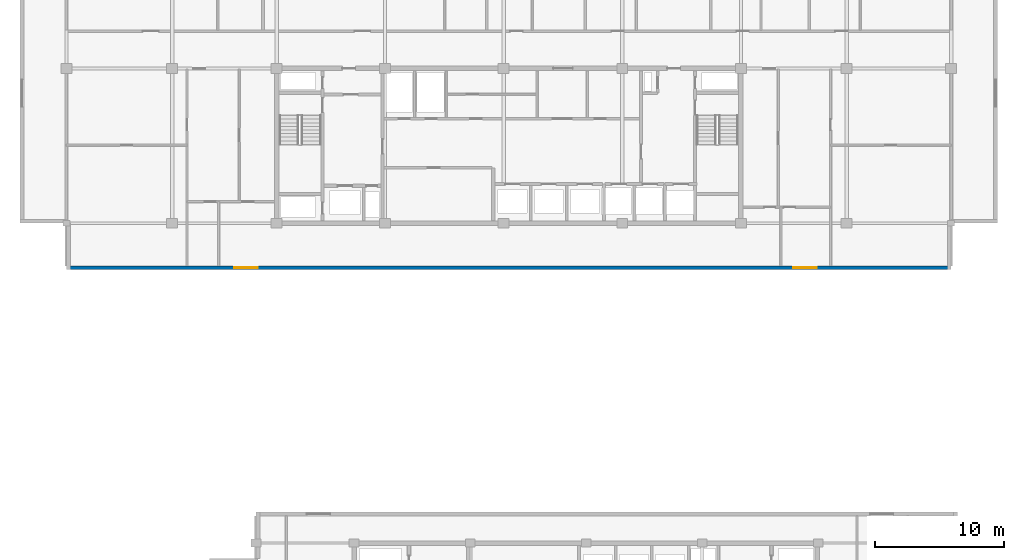
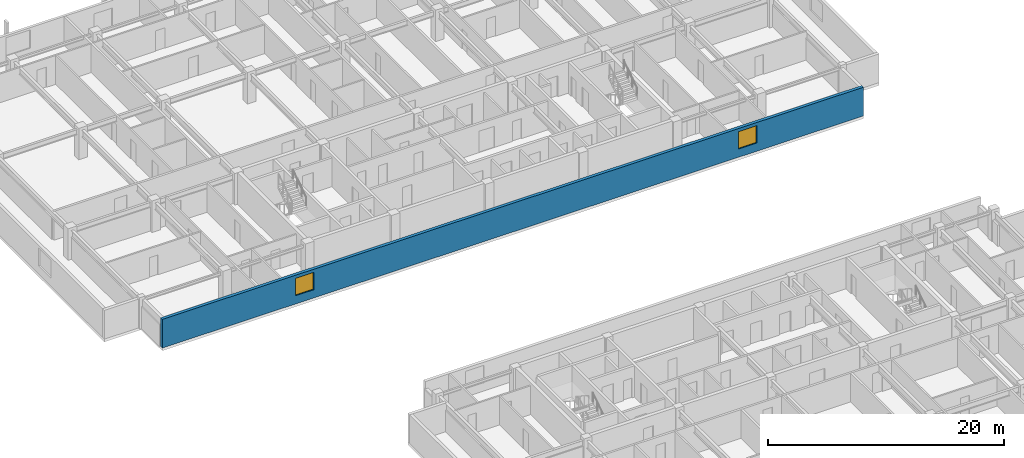
# One storey, part 8 of 21: 2 windows, 1 wall, 2 openings.
"""IFC4 building model written with IfcOpenShell, lengths in metres."""

from ifc_helpers import new_model, si_unit, direction, frame, frame_2d, origin, place, context, subcontext, project, spatial, rectangle, extrude, material, layer, layer_set, type_object, element, fill, save


model = new_model("IFC4")

# Units and contexts
model_context = context("Model", 3, precision=1e-05, world=origin(), true_north=direction((0.0, 1.0)))
body_context = subcontext(model_context, "Body", "Model", "MODEL_VIEW")
ifc_project = project(units=[si_unit("LENGTHUNIT", "METRE"), si_unit("AREAUNIT", "SQUARE_METRE"), si_unit("VOLUMEUNIT", "CUBIC_METRE"), si_unit("PLANEANGLEUNIT", "RADIAN"), si_unit("MASSUNIT", "GRAM", prefix="KILO")], contexts=[model_context])

# Site, building, storey
site_placement = place(None, origin())
site = spatial("IfcSite", under=ifc_project, at=site_placement, CompositionType="ELEMENT")
building_placement = place(site_placement, origin())
building = spatial("IfcBuilding", under=site, at=building_placement, Name="Korimba Cascade Residences", CompositionType="ELEMENT")
storey_placement = place(building_placement, frame((0.0, 0.0, 175.10009765625)))
storey = spatial("IfcBuildingStorey", under=building, at=storey_placement, Name="L50", CompositionType="ELEMENT", Elevation=175.10009765625)

# Wall, openings, windows
ifc_material_1 = material(Name="Precast concrete C40/50", Category="concrete")
ifc_layer = layer(ifc_material_1, 0.300048828125)
ifc_layer_set = layer_set([ifc_layer], Name="Precast concrete C40/50")
wall_type = type_object("IfcWallType", Name="EW-STONE-300", PredefinedType="STANDARD", material=ifc_layer_set)
wall_placement = place(storey_placement, frame((59.800048828125, 51.75, 0.0), z_axis=(0.0, 0.0, 1.0), x_axis=(1.0, 0.0, 0.0)))
wall = element("IfcWall", 1, at=wall_placement, inside=storey, type_object=wall_type, Name="L50 T1 Perimeter Stone Wall E00", PredefinedType="STANDARD", context=body_context, shape_type="SweptSolid", body=[
    extrude(rectangle(XDim=68.599853515625, YDim=0.300048828125, at=frame_2d((34.2998046875, 0.0))), origin(), (0.0, 0.0, 1.0), 2.969970703125),
])
opening_1_placement = place(wall_placement, frame((13.02490234375, 0.0, 0.85009765625)))
opening_1 = element("IfcOpeningElement", 2, at=opening_1_placement, cuts=wall, Name="Opening W-02", PredefinedType="OPENING", context=body_context, shape_type="SweptSolid", body=[
    extrude(rectangle(XDim=1.800048828125, YDim=1.800048828125, at=frame_2d((0.89990234375, 0.89990234375))), frame((0.0, 0.16015625, 0.0), z_axis=(0.0, -1.0, 0.0), x_axis=(1.0, 0.0, 0.0)), (0.0, 0.0, 1.0), 0.320068359375),
])
opening_2_placement = place(wall_placement, frame((56.375, 0.0, 0.85009765625)))
opening_2 = element("IfcOpeningElement", 3, at=opening_2_placement, cuts=wall, Name="Opening W-02", PredefinedType="OPENING", context=body_context, shape_type="SweptSolid", body=[
    extrude(rectangle(XDim=1.800048828125, YDim=1.800048828125, at=frame_2d((0.89990234375, 0.89990234375))), frame((0.0, 0.16015625, 0.0), z_axis=(0.0, -1.0, 0.0), x_axis=(1.0, 0.0, 0.0)), (0.0, 0.0, 1.0), 0.320068359375),
])
ifc_material_2 = material(Name="Double-Glazed Aluminium Window", Category="aluminium")
window_type = type_object("IfcWindowType", Name="WIN-BED-1800", PartitioningType="SINGLE_PANEL", PredefinedType="WINDOW", material=ifc_material_2)
window_1_placement = place(opening_1_placement, origin())
window_1 = element("IfcWindow", 4, at=window_1_placement, inside=storey, type_object=window_type, Name="L50 T1 South Corner Bedroom Window 1", OverallHeight=1.800048828125, OverallWidth=1.800048828125, PartitioningType="SINGLE_PANEL", PredefinedType="WINDOW", context=body_context, shape_type="SweptSolid", body=[
    extrude(rectangle(XDim=1.800048828125, YDim=1.800048828125, at=frame_2d((0.89990234375, 0.89990234375))), frame((0.0, 0.030029296875, 0.0), z_axis=(0.0, -1.0, 0.0), x_axis=(1.0, 0.0, 0.0)), (0.0, 0.0, 1.0), 0.06005859375),
])
fill(opening_1, window_1)
window_2_placement = place(opening_2_placement, origin())
window_2 = element("IfcWindow", 5, at=window_2_placement, inside=storey, type_object=window_type, Name="L50 T1 South Corner Bedroom Window 2", OverallHeight=1.800048828125, OverallWidth=1.800048828125, PartitioningType="SINGLE_PANEL", PredefinedType="WINDOW", context=body_context, shape_type="SweptSolid", body=[
    extrude(rectangle(XDim=1.800048828125, YDim=1.800048828125, at=frame_2d((0.89990234375, 0.89990234375))), frame((0.0, 0.030029296875, 0.0), z_axis=(0.0, -1.0, 0.0), x_axis=(1.0, 0.0, 0.0)), (0.0, 0.0, 1.0), 0.06005859375),
])
fill(opening_2, window_2)

save(model, "model.ifc")
